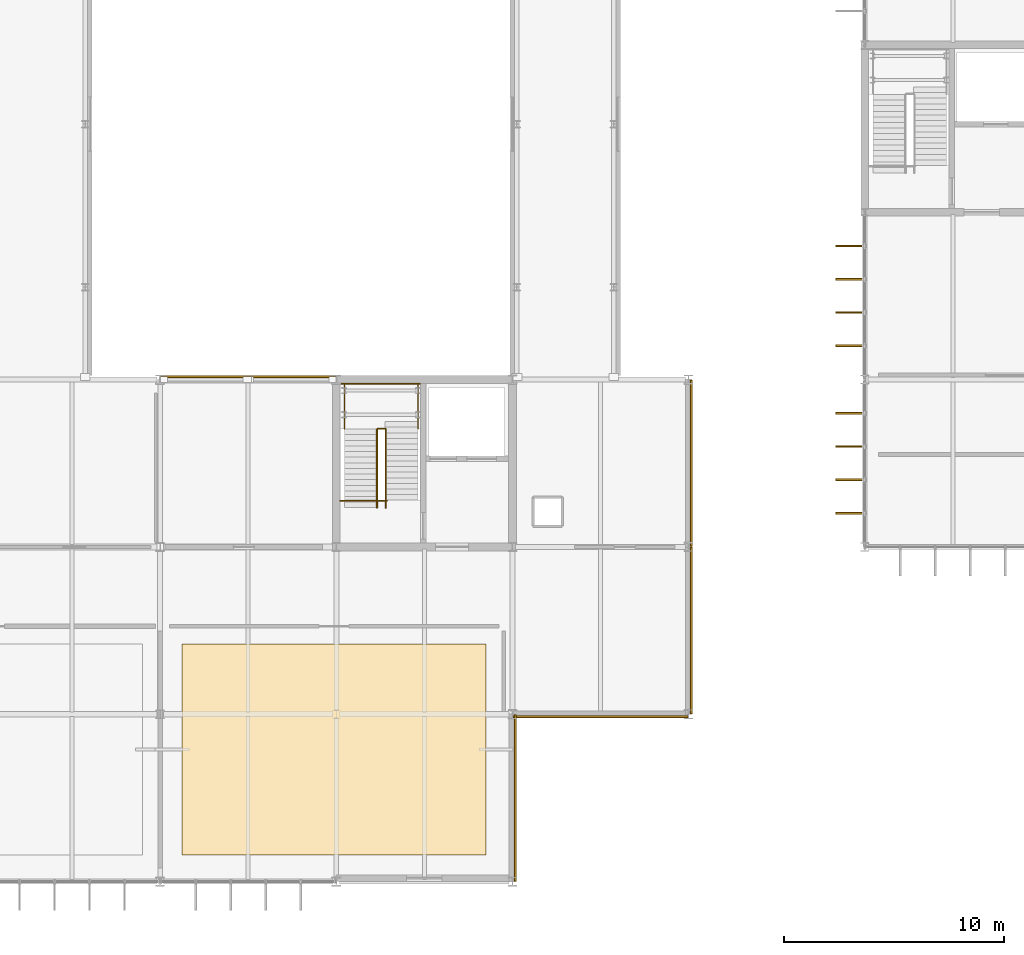
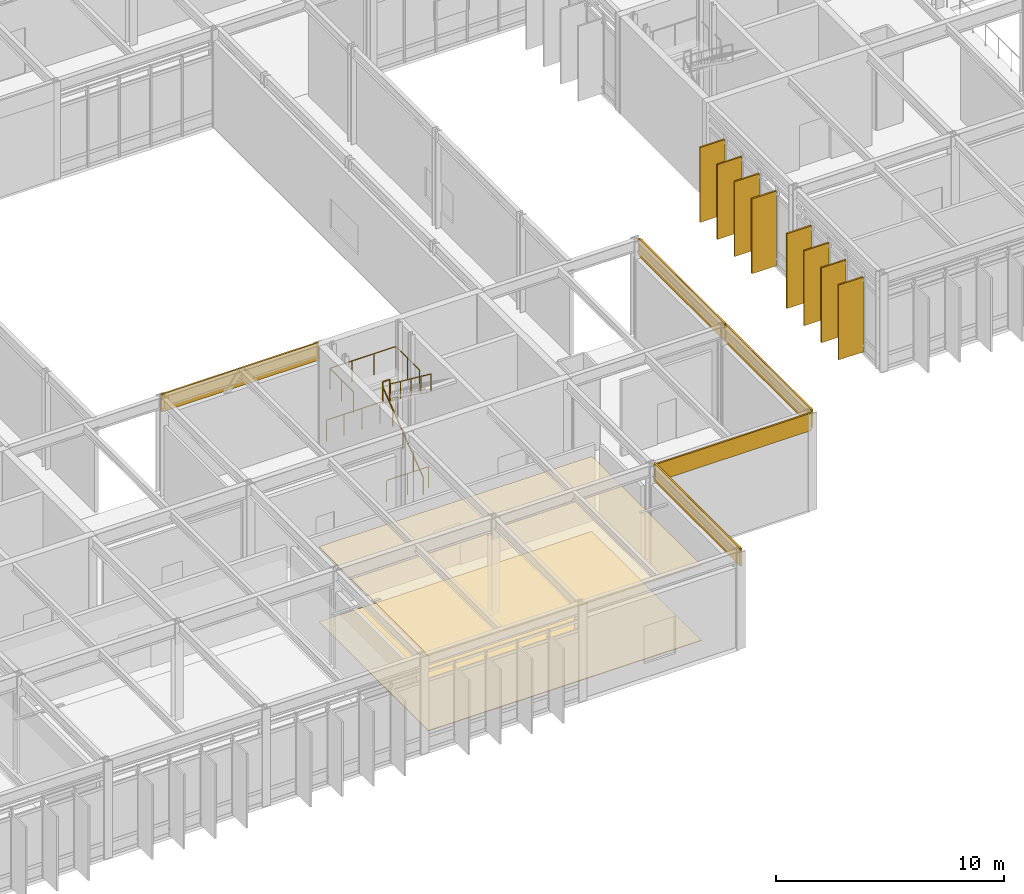
# One storey, part 86 of 94: 8 shading devices, 7 coverings, 6 railings.
"""IFC4 building model written with IfcOpenShell, lengths in metres."""

import ifcopenshell
import ifcopenshell.guid

model = None  # the IFC model being written
_history = None  # IfcOwnerHistory: only IFC2X3 demands one
_inside = {}  # id of a spatial element -> (the spatial element, [elements in it])
_under = {}  # id of a project, library or spatial element -> (it, [spatial elements below it])
_declared = {}  # id of a project -> (the project, [libraries it declares])
_typed = {}  # id of a type object -> (the type object, [elements of that type])
_made_of = {}  # id of a material, layer set ... -> (it, [elements and type objects made of it])


def new_model(schema):
    """Start an empty IFC model of exactly this schema.

    Asked for "IFC4X3", IfcOpenShell would pick the latest addendum, in which some entities
    have other attributes; the version numbers below select the first issue.
    IFC2X3 requires an IfcOwnerHistory on every rooted entity: one is made here for all.
    """
    global model, _history
    if schema == "IFC4X3":
        model = ifcopenshell.file(schema_version=(4, 3, 0, 0))
    else:
        model = ifcopenshell.file(schema=schema)
    _inside.clear()
    _under.clear()
    _declared.clear()
    _typed.clear()
    _made_of.clear()
    _history = None
    if model.schema == "IFC2X3":
        org = make("IfcOrganization", Name="unknown")
        user = make(
            "IfcPersonAndOrganization",
            ThePerson=make("IfcPerson", FamilyName="unknown"),
            TheOrganization=org,
        )
        app = make(
            "IfcApplication",
            ApplicationDeveloper=org,
            Version="unknown",
            ApplicationFullName="unknown",
            ApplicationIdentifier="unknown",
        )
        _history = make(
            "IfcOwnerHistory",
            OwningUser=user,
            OwningApplication=app,
            ChangeAction="ADDED",
            CreationDate=0,
        )
    return model


def make(cls, **values):
    """One entity of the class cls with the attributes given. An attribute that is None is left unset."""
    return model.create_entity(
        cls, **{name: value for name, value in values.items() if value is not None}
    )


def rooted(cls, **values):
    """An entity with a GlobalId (a new one), such as an element, a storey or a relation."""
    return make(cls, GlobalId=ifcopenshell.guid.new(), OwnerHistory=_history, **values)


def si_unit(unit_type, name, prefix=None):
    """IfcSIUnit, for example si_unit("LENGTHUNIT", "METRE", prefix="MILLI")."""
    return make("IfcSIUnit", UnitType=unit_type, Prefix=prefix, Name=name)


def assignment(units):
    """IfcUnitAssignment: the units of a project."""
    return None if units is None else make("IfcUnitAssignment", Units=units)


def point(xyz):
    """IfcCartesianPoint."""
    return None if xyz is None else make("IfcCartesianPoint", Coordinates=xyz)


def direction(xyz):
    """IfcDirection."""
    return None if xyz is None else make("IfcDirection", DirectionRatios=xyz)


def frame(location, z_axis=None, x_axis=None):
    """IfcAxis2Placement3D, a coordinate frame: its origin and axes. An axis left out is left unset."""
    return make(
        "IfcAxis2Placement3D",
        Location=point(location),
        Axis=direction(z_axis),
        RefDirection=direction(x_axis),
    )


def frame_2d(location, x_axis=None):
    """IfcAxis2Placement2D, a coordinate frame in the plane: its origin and x axis."""
    return make(
        "IfcAxis2Placement2D", Location=point(location), RefDirection=direction(x_axis)
    )


def origin():
    """The frame at (0, 0, 0) with its axes left unset."""
    return frame((0.0, 0.0, 0.0))


def origin_2d():
    """The frame at (0, 0) in the plane with its x axis left unset."""
    return frame_2d((0.0, 0.0))


def place(relative_to, where):
    """IfcLocalPlacement: puts the frame where relative to a parent placement (None: the world)."""
    return make(
        "IfcLocalPlacement", PlacementRelTo=relative_to, RelativePlacement=where
    )


def context(
    kind, dimensions, precision=None, world=None, true_north=None, identifier=None
):
    """IfcGeometricRepresentationContext, for example the 3D "Model" context."""
    return make(
        "IfcGeometricRepresentationContext",
        ContextIdentifier=identifier,
        ContextType=kind,
        CoordinateSpaceDimension=dimensions,
        Precision=precision,
        WorldCoordinateSystem=world,
        TrueNorth=true_north,
    )


def subcontext(parent, identifier, kind, view, scale=None):
    """IfcGeometricRepresentationSubContext, for example "Body" below "Model"."""
    return make(
        "IfcGeometricRepresentationSubContext",
        ContextIdentifier=identifier,
        ContextType=kind,
        ParentContext=parent,
        TargetScale=scale,
        TargetView=view,
    )


def project(units=None, contexts=None):
    """IfcProject with its units and contexts."""
    return rooted(
        "IfcProject",
        Name="project",
        RepresentationContexts=contexts,
        UnitsInContext=assignment(units),
    )


def spatial(cls, under=None, at=None, **own):
    """A site, building, storey or space (cls), placed at a placement, below another one or the project."""
    s = rooted(cls, ObjectPlacement=at, **own)
    if under is not None:
        _under.setdefault(under.id(), (under, []))[1].append(s)
    return s


def polyline(points):
    """IfcPolyline through the points."""
    return make("IfcPolyline", Points=[point(p) for p in points])


def profile(cls, at=None, kind="AREA", **sizes):
    """A parametric profile (cls). Its sizes go by their IFC names, for example OverallWidth=200.0."""
    return make(cls, ProfileType=kind, Position=at, **sizes)


def rectangle(**sizes):
    """IfcRectangleProfileDef."""
    return profile("IfcRectangleProfileDef", **sizes)


def circle(**sizes):
    """IfcCircleProfileDef."""
    return profile("IfcCircleProfileDef", **sizes)


def outline(outer, holes=None, kind="AREA"):
    """IfcArbitraryClosedProfileDef: a profile drawn as a closed curve; with holes, ...WithVoids."""
    if holes is None:
        return make("IfcArbitraryClosedProfileDef", ProfileType=kind, OuterCurve=outer)
    return make(
        "IfcArbitraryProfileDefWithVoids",
        ProfileType=kind,
        OuterCurve=outer,
        InnerCurves=holes,
    )


def extrude(swept, where, along, depth):
    """IfcExtrudedAreaSolid: the profile swept, set in the frame where, extruded along a direction by depth."""
    return make(
        "IfcExtrudedAreaSolid",
        SweptArea=swept,
        Position=where,
        ExtrudedDirection=direction(along),
        Depth=depth,
    )


def shape(context_of_items, identifier, shape_type, items):
    """IfcShapeRepresentation: the items that make up one representation, for example the "Body"."""
    return make(
        "IfcShapeRepresentation",
        ContextOfItems=context_of_items,
        RepresentationIdentifier=identifier,
        RepresentationType=shape_type,
        Items=items,
    )


def material(Name=None, Category=None):
    """IfcMaterial."""
    return make("IfcMaterial", Name=Name, Category=Category)


def layer(
    of_material, thickness, ventilated=None, Name=None, Category=None, Priority=None
):
    """IfcMaterialLayer: one layer of a wall or slab, of a material (None: an air gap)."""
    return make(
        "IfcMaterialLayer",
        Material=of_material,
        LayerThickness=thickness,
        IsVentilated=ventilated,
        Name=Name,
        Category=Category,
        Priority=Priority,
    )


def layer_set(layers, Name=None):
    """IfcMaterialLayerSet."""
    return make("IfcMaterialLayerSet", MaterialLayers=layers, LayerSetName=Name)


def made_of(thing, what):
    """Note that an element or type object is made of a material, layer set ...; save() writes the relation."""
    if what is not None:
        _made_of.setdefault(what.id(), (what, []))[1].append(thing)
    return thing


def type_object(cls, material=None, **own):
    """A type object (cls), such as IfcWallType, which elements share."""
    return made_of(rooted(cls, **own), material)


def element(
    cls,
    number,
    at=None,
    inside=None,
    cuts=None,
    type_object=None,
    material=None,
    context=None,
    identifier="Body",
    shape_type=None,
    held_by="IfcProductDefinitionShape",
    body=None,
    shapes=None,
    **own,
):
    """One element of the class cls, such as IfcWall. Its Tag is "e" and its number.

    at: its placement. inside: the storey or other place that contains it. cuts: it is an
    opening in that element (IfcRelVoidsElement). A single representation is given by context,
    identifier, shape_type and body (its items); several are given by shapes. held_by: the class
    of the entity that holds the representations. save() writes the other relations.
    """
    e = rooted(cls, Tag="e%d" % number, ObjectPlacement=at, **own)
    if body is not None:
        shapes = [shape(context, identifier, shape_type, body)]
    if shapes is not None:
        e.Representation = make(held_by, Representations=shapes)
    if inside is not None:
        _inside.setdefault(inside.id(), (inside, []))[1].append(e)
    if cuts is not None:
        rooted(
            "IfcRelVoidsElement", RelatingBuildingElement=cuts, RelatedOpeningElement=e
        )
    if type_object is not None:
        _typed.setdefault(type_object.id(), (type_object, []))[1].append(e)
    return made_of(e, material)


def aggregate(whole, parts):
    """IfcRelAggregates: a whole, such as a stair, and the parts it consists of."""
    return rooted("IfcRelAggregates", RelatingObject=whole, RelatedObjects=parts)


def save(model, path):
    """Write the relations noted so far, then the file.

    IfcRelAggregates (storeys below a building ...), IfcRelContainedInSpatialStructure (elements
    in a storey), IfcRelDefinesByType, IfcRelAssociatesMaterial and IfcRelDeclares: one each for
    every whole, place, type object, material and project.
    """
    for whole, parts in _under.values():
        aggregate(whole, parts)
    for where, things in _inside.values():
        rooted(
            "IfcRelContainedInSpatialStructure",
            RelatedElements=things,
            RelatingStructure=where,
        )
    for kind, things in _typed.values():
        rooted("IfcRelDefinesByType", RelatedObjects=things, RelatingType=kind)
    for what, things in _made_of.values():
        rooted("IfcRelAssociatesMaterial", RelatedObjects=things, RelatingMaterial=what)
    for by, libraries in _declared.values():
        rooted("IfcRelDeclares", RelatingContext=by, RelatedDefinitions=libraries)
    model.write(path)


model = new_model("IFC4")

# Units and contexts
model_context = context("Model", 3, precision=1e-05, world=origin(), true_north=direction((0.0, 1.0)))
body_context = subcontext(model_context, "Body", "Model", "MODEL_VIEW")
ifc_project = project(units=[si_unit("LENGTHUNIT", "METRE"), si_unit("AREAUNIT", "SQUARE_METRE"), si_unit("VOLUMEUNIT", "CUBIC_METRE"), si_unit("PLANEANGLEUNIT", "RADIAN"), si_unit("MASSUNIT", "GRAM", prefix="KILO")], contexts=[model_context])

# Site, building, storey
site_placement = place(None, origin())
site = spatial("IfcSite", under=ifc_project, at=site_placement, CompositionType="ELEMENT")
building_placement = place(site_placement, origin())
building = spatial("IfcBuilding", under=site, at=building_placement, Name="Zulena Civic Courthouse", CompositionType="ELEMENT")
storey_placement = place(building_placement, frame((0.0, 0.0, 5.39990234375)))
storey = spatial("IfcBuildingStorey", under=building, at=storey_placement, Name="L01", CompositionType="ELEMENT", Elevation=5.39990234375)

# Covering
ifc_material_1 = material(Name="Perforated acoustic mineral-fibre ceiling tile", Category="concrete")
ifc_layer_1 = layer(ifc_material_1, 0.02490234375)
ifc_layer_set_1 = layer_set([ifc_layer_1], Name="Perforated acoustic mineral-fibre ceiling tile")
covering_type_1 = type_object("IfcCoveringType", Name="AcousticCeiling_25", PredefinedType="CEILING", material=ifc_layer_set_1)
covering_1_placement = place(storey_placement, frame((0.0, 0.0, 4.02001953125)))
element("IfcCovering", 1, at=covering_1_placement, inside=storey, type_object=covering_type_1, Name="ceil:L01:297", PredefinedType="CEILING", context=body_context, shape_type="SweptSolid", body=[
    extrude(outline(polyline([(37.0, 1.199951171875), (50.800048828125, 1.199951171875), (50.800048828125, 10.800048828125), (37.0, 10.800048828125), (37.0, 1.199951171875)])), origin(), (0.0, 0.0, 1.0), 0.025146484375),
])

# Shading devices
ifc_material_2 = material(Name="Gold anodised architectural aluminium AA6063-T6", Category="aluminium")
shading_device_type = type_object("IfcShadingDeviceType", Name="GoldSolarFin_400", PredefinedType="USERDEFINED", material=ifc_material_2)
for number, where, z_axis, x_axis, name in (
    (2, (67.31494140625, 16.734375, 0.050048828125), (0.0, 0.0, 1.0), (-1.0, 0.0, 0.0), "fin:V4:L01:0:0:1"),
    (3, (67.31494140625, 18.244873046875, 0.050048828125), (0.0, 0.0, 1.0), (-1.0, 0.0, 0.0), "fin:V4:L01:0:0:2"),
    (4, (67.31494140625, 19.755126953125, 0.050048828125), (0.0, 0.0, 1.0), (-1.0, 0.0, 0.0), "fin:V4:L01:0:0:3"),
    (5, (67.31494140625, 21.265625, 0.050048828125), (0.0, 0.0, 1.0), (-1.0, 0.0, 0.0), "fin:V4:L01:0:0:4"),
    (6, (67.31494140625, 24.33447265625, 0.050048828125), (0.0, 0.0, 1.0), (-1.0, 0.0, 0.0), "fin:V4:L01:0:1:1"),
    (7, (67.31494140625, 25.8447265625, 0.050048828125), (0.0, 0.0, 1.0), (-1.0, 0.0, 0.0), "fin:V4:L01:0:1:2"),
    (8, (67.31494140625, 27.355224609375, 0.050048828125), (0.0, 0.0, 1.0), (-1.0, 0.0, 0.0), "fin:V4:L01:0:1:3"),
    (9, (67.31494140625, 28.865478515625, 0.050048828125), (0.0, 0.0, 1.0), (-1.0, 0.0, 0.0), "fin:V4:L01:0:1:4"),
):
    element("IfcShadingDevice", number, at=place(storey_placement, frame(where, z_axis=z_axis, x_axis=x_axis)), inside=storey, type_object=shading_device_type, Name=name, ObjectType="FIN", PredefinedType="USERDEFINED", context=body_context, shape_type="SweptSolid", body=[
        extrude(rectangle(XDim=1.25, YDim=0.080078125, at=origin_2d()), origin(), (0.0, 0.0, 1.0), 4.0),
    ])

# Railings
ifc_material_3 = material(Name="Brushed architectural steel ASTM A36", Category="steel")
railing_type_1 = type_object("IfcRailingType", Name="InteriorGuardrail_1150", PredefinedType="GUARDRAIL", material=ifc_material_3)
railing_1_placement = place(storey_placement, frame((44.199951171875, 22.610107421875, 0.0)))
element("IfcRailing", 10, at=railing_1_placement, inside=storey, type_object=railing_type_1, Name="gr:wellN:K2B:L00", PredefinedType="GUARDRAIL", context=body_context, shape_type="SweptSolid", body=[
    extrude(circle(Radius=0.02392578125, at=origin_2d()), frame((0.00390625, 0.0, 1.1259765625), z_axis=(1.0, 0.0, 0.0), x_axis=(0.0, 1.0, 0.0)), (0.0, 0.0, 1.0), 3.592041015625),
    extrude(circle(Radius=0.02099609375, at=origin_2d()), origin(), (0.0, 0.0, 1.0), 1.097900390625),
    extrude(circle(Radius=0.02099609375, at=origin_2d()), frame((0.89990234375, 0.0, 0.0)), (0.0, 0.0, 1.0), 1.097900390625),
    extrude(circle(Radius=0.02099609375, at=origin_2d()), frame((1.800048828125, 0.0, 0.0)), (0.0, 0.0, 1.0), 1.097900390625),
    extrude(circle(Radius=0.02099609375, at=origin_2d()), frame((2.7001953125, 0.0, 0.0)), (0.0, 0.0, 1.0), 1.097900390625),
    extrude(circle(Radius=0.02099609375, at=origin_2d()), frame((3.60009765625, 0.0, 0.0)), (0.0, 0.0, 1.0), 1.097900390625),
])
railing_2_placement = place(storey_placement, frame((44.179931640625, 17.300048828125, 0.0)))
element("IfcRailing", 11, at=railing_2_placement, inside=storey, type_object=railing_type_1, Name="gr:wells:K2B:L01", PredefinedType="GUARDRAIL", context=body_context, shape_type="SweptSolid", body=[
    extrude(circle(Radius=0.02392578125, at=origin_2d()), frame((0.00390625, 0.0, 1.1259765625), z_axis=(1.0, 0.0, 0.0), x_axis=(0.0, 1.0, 0.0)), (0.0, 0.0, 1.0), 2.112060546875),
    extrude(circle(Radius=0.02099609375, at=origin_2d()), origin(), (0.0, 0.0, 1.0), 1.097900390625),
    extrude(circle(Radius=0.02099609375, at=origin_2d()), frame((1.06005859375, 0.0, 0.0)), (0.0, 0.0, 1.0), 1.097900390625),
    extrude(circle(Radius=0.02099609375, at=origin_2d()), frame((2.1201171875, 0.0, 0.0)), (0.0, 0.0, 1.0), 1.097900390625),
])
railing_3_placement = place(storey_placement, frame((44.3798828125, 20.549560546875, 2.7001953125)))
element("IfcRailing", 12, at=railing_3_placement, inside=storey, type_object=railing_type_1, Name="gr:lnd:K2B:L01", PredefinedType="GUARDRAIL", context=body_context, shape_type="SweptSolid", body=[
    extrude(circle(Radius=0.02392578125, at=origin_2d()), frame((0.0, 0.00390625, 1.1259765625), z_axis=(0.0, 1.0, 0.0), x_axis=(-1.0, 0.0, 0.0)), (0.0, 0.0, 1.0), 2.0625),
    extrude(circle(Radius=0.02392578125, at=origin_2d()), frame((0.00390625, 2.070556640625, 1.1259765625), z_axis=(1.0, 0.0, 0.0), x_axis=(0.0, 1.0, 0.0)), (0.0, 0.0, 1.0), 3.33203125),
    extrude(circle(Radius=0.02392578125, at=origin_2d()), frame((3.340087890625, 2.066650390625, 1.1259765625), z_axis=(0.0, -1.0, 0.0), x_axis=(1.0, 0.0, 0.0)), (0.0, 0.0, 1.0), 2.0625),
    extrude(circle(Radius=0.02099609375, at=origin_2d()), origin(), (0.0, 0.0, 1.0), 1.097900390625),
    extrude(circle(Radius=0.02099609375, at=origin_2d()), frame((0.0, 1.03515625, 0.0)), (0.0, 0.0, 1.0), 1.097900390625),
    extrude(circle(Radius=0.02099609375, at=origin_2d()), frame((0.0, 2.070556640625, 0.0)), (0.0, 0.0, 1.0), 1.097900390625),
    extrude(circle(Radius=0.02099609375, at=origin_2d()), frame((1.11328125, 2.070556640625, 0.0)), (0.0, 0.0, 1.0), 1.097900390625),
    extrude(circle(Radius=0.02099609375, at=origin_2d()), frame((2.226806640625, 2.070556640625, 0.0)), (0.0, 0.0, 1.0), 1.097900390625),
    extrude(circle(Radius=0.02099609375, at=origin_2d()), frame((3.340087890625, 2.070556640625, 0.0)), (0.0, 0.0, 1.0), 1.097900390625),
    extrude(circle(Radius=0.02099609375, at=origin_2d()), frame((3.340087890625, 1.03515625, 0.0)), (0.0, 0.0, 1.0), 1.097900390625),
    extrude(circle(Radius=0.02099609375, at=origin_2d()), frame((3.340087890625, 0.0, 0.0)), (0.0, 0.0, 1.0), 1.097900390625),
])
railing_4_placement = place(storey_placement, frame((45.8798828125, 20.570068359375, 2.7001953125)))
element("IfcRailing", 13, at=railing_4_placement, inside=storey, type_object=railing_type_1, Name="gr:lndslot:K2B:L01", PredefinedType="GUARDRAIL", context=body_context, shape_type="SweptSolid", body=[
    extrude(circle(Radius=0.02392578125, at=origin_2d()), frame((0.00390625, 0.0, 1.1259765625), z_axis=(1.0, 0.0, 0.0), x_axis=(0.0, 1.0, 0.0)), (0.0, 0.0, 1.0), 0.33203125),
    extrude(circle(Radius=0.02099609375, at=origin_2d()), origin(), (0.0, 0.0, 1.0), 1.097900390625),
    extrude(circle(Radius=0.02099609375, at=origin_2d()), frame((0.340087890625, 0.0, 0.0)), (0.0, 0.0, 1.0), 1.097900390625),
])

# Coverings
ifc_material_4 = material(Name="White architectural precast concrete C40/50", Category="concrete")
ifc_layer_2 = layer(ifc_material_4, 0.0849609375)
ifc_layer_set_2 = layer_set([ifc_layer_2], Name="White architectural precast concrete C40/50")
covering_type_2 = type_object("IfcCoveringType", Name="PrecastSpandrelCladding_85", PredefinedType="CLADDING", material=ifc_layer_set_2)
covering_2_placement = place(storey_placement, frame((40.0, 22.919921875, 4.250244140625), z_axis=(0.0, 0.0, 1.0), x_axis=(1.0, 0.0, 0.0)))
element("IfcCovering", 14, at=covering_2_placement, inside=storey, type_object=covering_type_2, Name="clad:sp:V2:L01:1:4", PredefinedType="CLADDING", context=body_context, shape_type="SweptSolid", body=[
    extrude(rectangle(XDim=7.9599609375, YDim=0.0849609375, at=origin_2d()), origin(), (0.0, 0.0, 1.0), 0.93994140625),
])
for number, where, z_axis, x_axis, name in (
    (15, (60.1201171875, 19.0, 4.250244140625), (0.0, 0.0, 1.0), (0.0, -1.0, 0.0), "clad:sp:V2:L01:2:0"),
    (16, (60.1201171875, 11.39990234375, 4.250244140625), (0.0, 0.0, 1.0), (0.0, -1.0, 0.0), "clad:sp:V2:L01:2:1"),
):
    element("IfcCovering", number, at=place(storey_placement, frame(where, z_axis=z_axis, x_axis=x_axis)), inside=storey, type_object=covering_type_2, Name=name, PredefinedType="CLADDING", context=body_context, shape_type="SweptSolid", body=[
        extrude(rectangle(XDim=7.56005859375, YDim=0.0849609375, at=origin_2d()), origin(), (0.0, 0.0, 1.0), 0.93994140625),
    ])
covering_3_placement = place(storey_placement, frame((56.0, 7.47998046875, 4.250244140625), z_axis=(0.0, 0.0, 1.0), x_axis=(-1.0, 0.0, 0.0)))
element("IfcCovering", 17, at=covering_3_placement, inside=storey, type_object=covering_type_2, Name="clad:sp:V2:L01:3:0", PredefinedType="CLADDING", context=body_context, shape_type="SweptSolid", body=[
    extrude(rectangle(XDim=7.9599609375, YDim=0.0849609375, at=origin_2d()), origin(), (0.0, 0.0, 1.0), 0.93994140625),
])
covering_4_placement = place(storey_placement, frame((52.1201171875, 3.800048828125, 4.250244140625), z_axis=(0.0, 0.0, 1.0), x_axis=(0.0, -1.0, 0.0)))
element("IfcCovering", 18, at=covering_4_placement, inside=storey, type_object=covering_type_2, Name="clad:sp:V2:L01:4:0", PredefinedType="CLADDING", context=body_context, shape_type="SweptSolid", body=[
    extrude(rectangle(XDim=7.56005859375, YDim=0.0849609375, at=origin_2d()), origin(), (0.0, 0.0, 1.0), 0.93994140625),
])

# Railings
railing_type_2 = type_object("IfcRailingType", Name="StairHandrail_920", PredefinedType="HANDRAIL", material=ifc_material_3)
railing_5_placement = place(storey_placement, frame((45.85009765625, 16.97998046875, 0.0)))
element("IfcRailing", 19, at=railing_5_placement, inside=storey, type_object=railing_type_2, Name="hr:K2B:L01:1", PredefinedType="HANDRAIL", context=body_context, shape_type="SweptSolid", body=[
    extrude(circle(Radius=0.02392578125, at=origin_2d()), frame((0.0, 0.003173828125, 0.898193359375), z_axis=(0.0, 0.797525546601, 0.603285175119), x_axis=(-1.0, 0.0, 0.0)), (0.0, 0.0, 1.0), 4.4677734375),
    extrude(circle(Radius=0.02099609375, at=origin_2d()), origin(), (0.0, 0.0, 1.0), 0.867919921875),
    extrude(circle(Radius=0.02099609375, at=origin_2d()), frame((0.0, 0.892333984375, 0.675048828125)), (0.0, 0.0, 1.0), 0.867919921875),
    extrude(circle(Radius=0.02099609375, at=origin_2d()), frame((0.0, 1.78466796875, 1.35009765625)), (0.0, 0.0, 1.0), 0.867919921875),
    extrude(circle(Radius=0.02099609375, at=origin_2d()), frame((0.0, 2.67724609375, 2.025146484375)), (0.0, 0.0, 1.0), 0.867919921875),
    extrude(circle(Radius=0.02099609375, at=origin_2d()), frame((0.0, 3.569580078125, 2.7001953125)), (0.0, 0.0, 1.0), 0.867919921875),
])
railing_6_placement = place(storey_placement, frame((46.25, 20.549560546875, 2.7001953125)))
element("IfcRailing", 20, at=railing_6_placement, inside=storey, type_object=railing_type_2, Name="hr:K2B:L01:2", PredefinedType="HANDRAIL", context=body_context, shape_type="SweptSolid", body=[
    extrude(circle(Radius=0.02392578125, at=origin_2d()), frame((0.0, -0.003173828125, 0.898193359375), z_axis=(0.0, -0.797551790998, 0.603250479218), x_axis=(1.0, 0.0, 0.0)), (0.0, 0.0, 1.0), 4.4677734375),
    extrude(circle(Radius=0.02099609375, at=origin_2d()), origin(), (0.0, 0.0, 1.0), 0.867919921875),
    extrude(circle(Radius=0.02099609375, at=origin_2d()), frame((0.0, -0.892333984375, 0.675048828125)), (0.0, 0.0, 1.0), 0.867919921875),
    extrude(circle(Radius=0.02099609375, at=origin_2d()), frame((0.0, -1.78466796875, 1.35009765625)), (0.0, 0.0, 1.0), 0.867919921875),
    extrude(circle(Radius=0.02099609375, at=origin_2d()), frame((0.0, -2.67724609375, 2.02490234375)), (0.0, 0.0, 1.0), 0.867919921875),
    extrude(circle(Radius=0.02099609375, at=origin_2d()), frame((0.0, -3.569580078125, 2.699951171875)), (0.0, 0.0, 1.0), 0.867919921875),
])

# Covering
ifc_material_5 = material(Name="Honed travertine stone flooring", Category="masonry")
ifc_layer_3 = layer(ifc_material_5, 0.030029296875)
ifc_layer_set_3 = layer_set([ifc_layer_3], Name="Honed travertine stone flooring")
covering_type_3 = type_object("IfcCoveringType", Name="TravertineFlooring_30", PredefinedType="FLOORING", material=ifc_layer_set_3)
covering_5_placement = place(storey_placement, origin())
element("IfcCovering", 21, at=covering_5_placement, inside=storey, type_object=covering_type_3, Name="floor:L01:297", PredefinedType="FLOORING", context=body_context, shape_type="SweptSolid", body=[
    extrude(outline(polyline([(37.0, 1.199951171875), (50.800048828125, 1.199951171875), (50.800048828125, 10.800048828125), (37.0, 10.800048828125), (37.0, 1.199951171875)])), origin(), (0.0, 0.0, 1.0), 0.030029296875),
])

save(model, "model.ifc")
